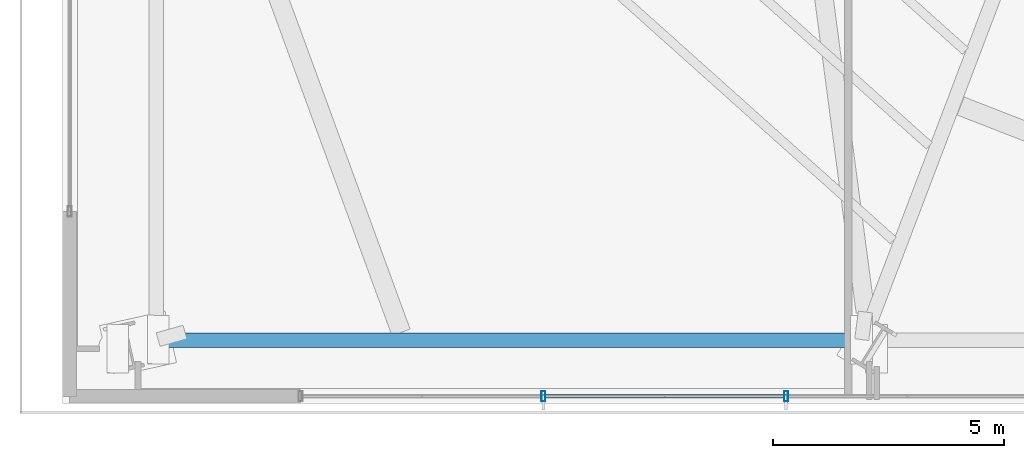
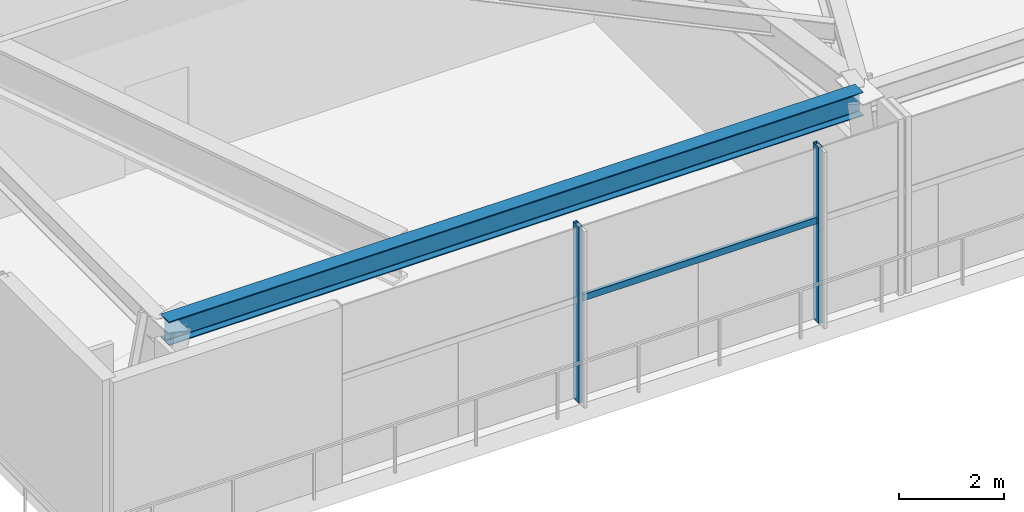
# One storey, part 3 of 30: 3 members, 1 beam, 1 element without a shape of its own.
"""IFC4 building model written with IfcOpenShell, lengths in metres."""

from ifc_helpers import new_model, si_unit, direction, frame, origin, origin_2d, place, context, subcontext, project, spatial, hollow_rectangle, i_section, extrude, source, transform, mapped, material, material_profile, profile_set, type_object, type_shapes, element, aggregate, save


model = new_model("IFC4")

# Units and contexts
model_context = context("Model", 3, precision=1e-05, world=origin(), true_north=direction((0.0, 1.0)))
body_context = subcontext(model_context, "Body", "Model", "MODEL_VIEW")
ifc_project = project(units=[si_unit("LENGTHUNIT", "METRE"), si_unit("AREAUNIT", "SQUARE_METRE"), si_unit("VOLUMEUNIT", "CUBIC_METRE"), si_unit("PLANEANGLEUNIT", "RADIAN"), si_unit("MASSUNIT", "GRAM", prefix="KILO")], contexts=[model_context])

# Site, building, storey
site_placement = place(None, origin())
site = spatial("IfcSite", under=ifc_project, at=site_placement, CompositionType="ELEMENT")
building_placement = place(site_placement, origin())
building = spatial("IfcBuilding", under=site, at=building_placement, Name="Astriad Promenade Condominiums", CompositionType="ELEMENT")
storey_placement = place(building_placement, frame((0.0, 0.0, 14.0)))
storey = spatial("IfcBuildingStorey", under=building, at=storey_placement, Name="L03", CompositionType="ELEMENT", Elevation=14.0)

# Beam
ifc_material_1 = material(Name="Steel ASTM A992 Grade 50", Category="steel")
ifc_material_profile_1 = material_profile(ifc_material_1, i_section(OverallWidth=0.3134765625, OverallDepth=0.54638671875, WebThickness=0.013916015625, FlangeThickness=0.022216796875, FilletRadius=0.0166015625, at=origin_2d()), Name="W21X111")
ifc_profile_set_1 = profile_set([ifc_material_profile_1], Name="Steel ASTM A992 Grade 50")
beam_type = type_object("IfcBeamType", Name="STEEL SPANDREL BEAM W21X111", PredefinedType="SPANDREL", material=ifc_profile_set_1)
shared_shape_1 = source(origin(), body_context, "Body", "SweptSolid", [
    extrude(i_section(OverallWidth=0.3134765625, OverallDepth=0.54638671875, WebThickness=0.013916015625, FlangeThickness=0.022216796875, FilletRadius=0.0166015625, at=origin_2d()), origin(), (0.0, 0.0, 1.0), 15.2119140625),
])
type_shapes(beam_type, [shared_shape_1])
beam_placement = place(storey_placement, frame((5.559814453125, 2.7666015625, 3.806884765625), z_axis=(1.0, 0.0, 0.0), x_axis=(0.0, 1.0, 0.0)))
element("IfcBeam", 1, at=beam_placement, inside=storey, type_object=beam_type, Name="Perimeter Spandrel Beam SP-S1-L03", PredefinedType="SPANDREL", context=body_context, shape_type="MappedRepresentation", body=[
    mapped(shared_shape_1, transform((0.0, 0.0, 0.0), scale=1.0)),
])

# Curtain wall, members
ifc_material_2 = material(Name="Anodised aluminium Black Dark Glass Unitised", Category="aluminium")
curtain_wall_type = type_object("IfcCurtainWallType", Name="CW-POD-DARK", PredefinedType="USERDEFINED", material=ifc_material_2)
curtain_wall_placement = place(storey_placement, origin())
curtain_wall = element("IfcCurtainWall", 2, at=curtain_wall_placement, inside=storey, type_object=curtain_wall_type, Name="CW-L03-S", ObjectType="UNITISED_CURTAIN_WALL", PredefinedType="USERDEFINED")
ifc_material_3 = material(Name="Anodised aluminium 6063-T6 Black", Category="aluminium")
ifc_material_profile_2 = material_profile(ifc_material_3, hollow_rectangle(XDim=0.0849609375, YDim=0.219970703125, WallThickness=0.0048828125, at=origin_2d()), Name="ALU-MUL-85X220")
ifc_profile_set_2 = profile_set([ifc_material_profile_2], Name="Anodised aluminium 6063-T6 Black")
member_type_1 = type_object("IfcMemberType", Name="MUL-ALU-MUL-85X220", PredefinedType="MULLION", material=ifc_profile_set_2)
shared_shape_2 = source(origin(), body_context, "Body", "SweptSolid", [
    extrude(hollow_rectangle(XDim=0.0849609375, YDim=0.219970703125, WallThickness=0.0048828125, at=origin_2d()), origin(), (0.0, 0.0, 1.0), 4.080078125),
])
type_shapes(member_type_1, [shared_shape_2])
member_1_placement = place(storey_placement, frame((19.1591796875, 1.550048828125, 0.0), z_axis=(0.0, 0.0, 1.0), x_axis=(1.0, 0.0, 0.0)))
member_1 = element("IfcMember", 3, at=member_1_placement, type_object=member_type_1, Name="CW-L03-S-MUL-09", PredefinedType="MULLION", context=body_context, shape_type="MappedRepresentation", body=[
    mapped(shared_shape_2, transform((0.0, 0.0, 0.0), scale=1.0)),
])
member_2_placement = place(storey_placement, frame((13.904541015625, 1.550048828125, 0.0), z_axis=(0.0, 0.0, 1.0), x_axis=(1.0, 0.0, 0.0)))
member_2 = element("IfcMember", 4, at=member_2_placement, type_object=member_type_1, Name="CW-L03-S-MUL-10", PredefinedType="MULLION", context=body_context, shape_type="MappedRepresentation", body=[
    mapped(shared_shape_2, transform((0.0, 0.0, 0.0), scale=1.0)),
])
ifc_material_profile_3 = material_profile(ifc_material_3, hollow_rectangle(XDim=0.074951171875, YDim=0.14990234375, WallThickness=0.004150390625, at=origin_2d()), Name="ALU-TRN-75X150")
ifc_profile_set_3 = profile_set([ifc_material_profile_3], Name="Anodised aluminium 6063-T6 Black")
member_type_2 = type_object("IfcMemberType", Name="TRN-ALU-TRN-75X150", PredefinedType="USERDEFINED", material=ifc_profile_set_3)
shared_shape_3 = source(origin(), body_context, "Body", "SweptSolid", [
    extrude(hollow_rectangle(XDim=0.074951171875, YDim=0.14990234375, WallThickness=0.004150390625, at=origin_2d()), origin(), (0.0, 0.0, 1.0), 5.254638671875),
])
type_shapes(member_type_2, [shared_shape_3])
member_3_placement = place(storey_placement, frame((19.1591796875, 1.550048828125, 2.35009765625), z_axis=(-1.0, 0.0, 0.0), x_axis=(0.0, -1.0, 0.0)))
member_3 = element("IfcMember", 5, at=member_3_placement, type_object=member_type_2, Name="CW-L03-S-TRN-09-0", ObjectType="TRANSOM", PredefinedType="USERDEFINED", context=body_context, shape_type="MappedRepresentation", body=[
    mapped(shared_shape_3, transform((0.0, 0.0, 0.0), scale=1.0)),
])
aggregate(curtain_wall, [member_1, member_2, member_3])

save(model, "model.ifc")
